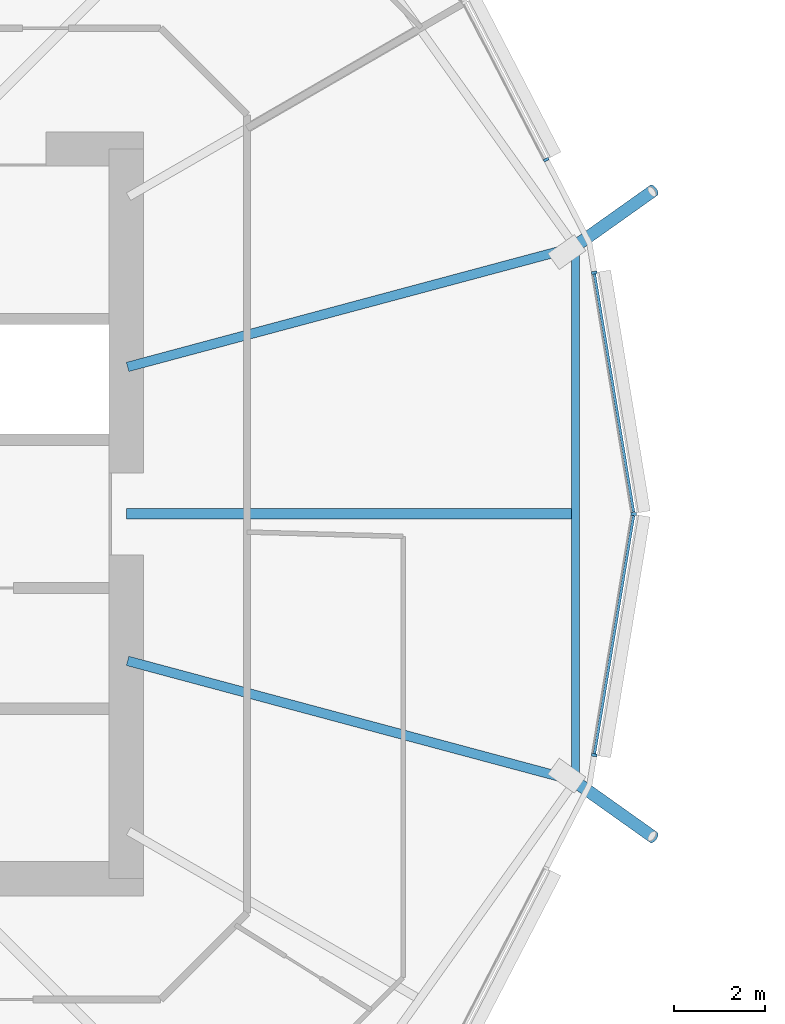
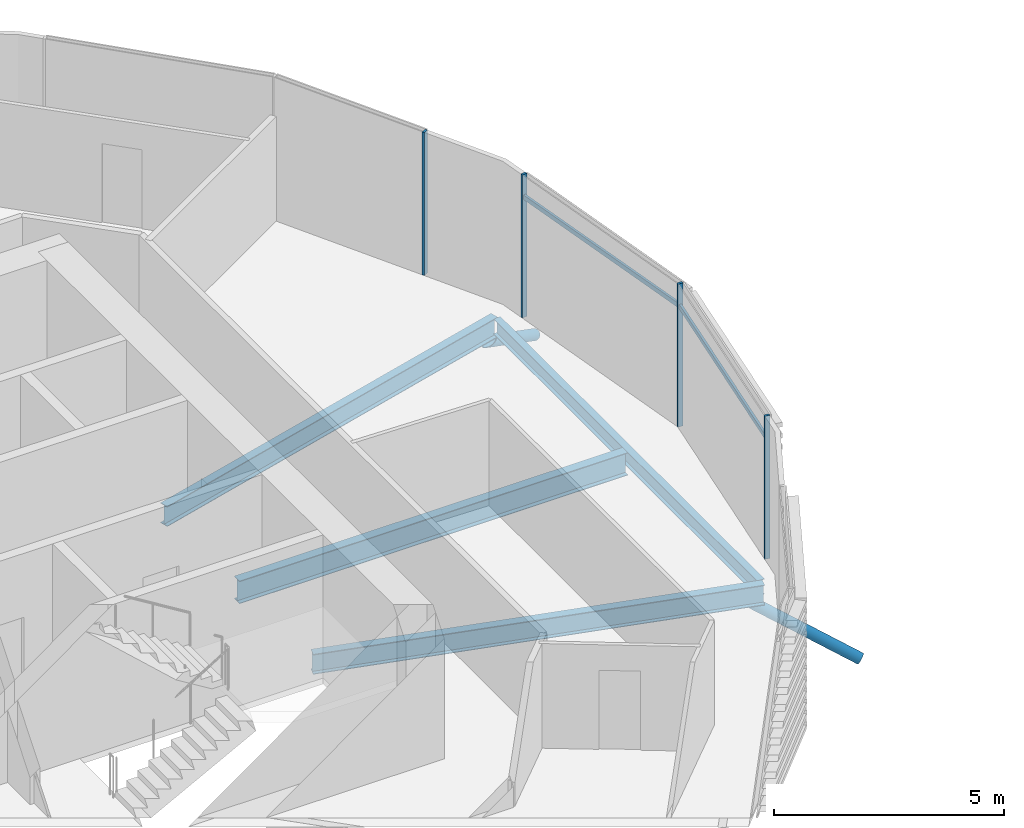
# One storey, part 8 of 38: 8 members, 4 beams, 1 element without a shape of its own.
"""IFC4 building model written with IfcOpenShell, lengths in metres."""

from ifc_helpers import new_model, si_unit, direction, frame, origin, origin_2d, place, context, subcontext, project, spatial, rectangle, hollow_circle, i_section, extrude, clip, halfspace, material, material_profile, profile_set, type_object, element, aggregate, save


model = new_model("IFC4")

# Units and contexts
model_context = context("Model", 3, precision=1e-05, world=origin(), true_north=direction((0.0, 1.0)))
body_context = subcontext(model_context, "Body", "Model", "MODEL_VIEW")
ifc_project = project(units=[si_unit("LENGTHUNIT", "METRE"), si_unit("AREAUNIT", "SQUARE_METRE"), si_unit("VOLUMEUNIT", "CUBIC_METRE"), si_unit("PLANEANGLEUNIT", "RADIAN"), si_unit("MASSUNIT", "GRAM", prefix="KILO")], contexts=[model_context])

# Site, building, storey
site_placement = place(None, origin())
site = spatial("IfcSite", under=ifc_project, at=site_placement, CompositionType="ELEMENT")
building_placement = place(site_placement, origin())
building = spatial("IfcBuilding", under=site, at=building_placement, Name="Rimbun Link Towers", CompositionType="ELEMENT")
storey_placement = place(building_placement, frame((0.0, 0.0, 119.60009765625)))
storey = spatial("IfcBuildingStorey", under=building, at=storey_placement, Name="L29", CompositionType="ELEMENT", Elevation=119.60009765625)

# Curtain wall, members
ifc_material_1 = material(Name="Aluminium 6063-T6 and low-iron glass", Category="aluminium")
curtain_wall_type = type_object("IfcCurtainWallType", Name="CW1-Z2 unitised vision wall (zone 2)", PredefinedType="NOTDEFINED", material=ifc_material_1)
curtain_wall_placement = place(storey_placement, origin())
curtain_wall = element("IfcCurtainWall", 1, at=curtain_wall_placement, inside=storey, type_object=curtain_wall_type, Name="CW1 L29 T1", PredefinedType="NOTDEFINED")
ifc_material_2 = material(Name="Aluminium 6063-T6", Category="aluminium")
ifc_material_profile_1 = material_profile(ifc_material_2, rectangle(XDim=0.1201171875, YDim=0.06005859375, at=origin_2d()), Name="MULLION 60X120")
ifc_profile_set_1 = profile_set([ifc_material_profile_1], Name="Aluminium 6063-T6")
member_type_1 = type_object("IfcMemberType", Name="CW1 mullion 60X120", PredefinedType="MULLION", material=ifc_profile_set_1)
member_1_placement = place(storey_placement, frame((-9.488037109375, 5.289306640625, 0.0), z_axis=(0.0, 0.0, 1.0), x_axis=(0.986746548815, 0.162269061749, 0.0)))
member_1 = element("IfcMember", 2, at=member_1_placement, type_object=member_type_1, Name="CW1 mullion", PredefinedType="MULLION", context=body_context, shape_type="SweptSolid", body=[
    extrude(rectangle(XDim=0.1201171875, YDim=0.06005859375, at=origin_2d()), origin(), (0.0, 0.0, 1.0), 3.7998046875),
])
member_2_placement = place(storey_placement, frame((-8.618896484375, 0.0, 0.0), z_axis=(0.0, 0.0, 1.0), x_axis=(1.0, 0.0, 0.0)))
member_2 = element("IfcMember", 3, at=member_2_placement, type_object=member_type_1, Name="CW1 mullion", PredefinedType="MULLION", context=body_context, shape_type="SweptSolid", body=[
    extrude(rectangle(XDim=0.1201171875, YDim=0.06005859375, at=origin_2d()), origin(), (0.0, 0.0, 1.0), 3.7998046875),
])
member_3_placement = place(storey_placement, frame((-10.54150390625, 7.769287109375, 0.0), z_axis=(0.0, 0.0, 1.0), x_axis=(0.888156623203, 0.459540871589, 0.0)))
member_3 = element("IfcMember", 4, at=member_3_placement, type_object=member_type_1, Name="CW1 mullion", PredefinedType="MULLION", context=body_context, shape_type="SweptSolid", body=[
    extrude(rectangle(XDim=0.1201171875, YDim=0.06005859375, at=origin_2d()), origin(), (0.0, 0.0, 1.0), 3.7998046875),
])
member_4_placement = place(storey_placement, frame((-9.488037109375, -5.289306640625, 0.0), z_axis=(0.0, 0.0, 1.0), x_axis=(0.986746548815, -0.162269061749, 0.0)))
member_4 = element("IfcMember", 5, at=member_4_placement, type_object=member_type_1, Name="CW1 mullion", PredefinedType="MULLION", context=body_context, shape_type="SweptSolid", body=[
    extrude(rectangle(XDim=0.1201171875, YDim=0.06005859375, at=origin_2d()), origin(), (0.0, 0.0, 1.0), 3.7998046875),
])
ifc_material_3 = material(Name="Aluminium 6063-T6", Category="aluminium")
ifc_material_profile_2 = material_profile(ifc_material_3, rectangle(XDim=0.06005859375, YDim=0.1201171875, at=origin_2d()), Name="TRANSOM 60X120")
ifc_profile_set_2 = profile_set([ifc_material_profile_2], Name="Aluminium 6063-T6")
member_type_2 = type_object("IfcMemberType", Name="CW1 transom 60X120", PredefinedType="USERDEFINED", material=ifc_profile_set_2)
member_5_placement = place(storey_placement, frame((-9.485107421875, 5.259521484375, 3.199951171875), z_axis=(0.162250916915, -0.986749532536, 0.0), x_axis=(0.986749532536, 0.162250916915, 0.0)))
member_5 = element("IfcMember", 6, at=member_5_placement, type_object=member_type_2, Name="CW1 transom", ObjectType="TRANSOM", PredefinedType="USERDEFINED", context=body_context, shape_type="SweptSolid", body=[
    extrude(rectangle(XDim=0.06005859375, YDim=0.1201171875, at=origin_2d()), origin(), (0.0, 0.0, 1.0), 5.29052734375),
])
member_6_placement = place(storey_placement, frame((-8.626708984375, -0.0390625, 3.199951171875), z_axis=(-0.162250916915, -0.986749532536, 0.0), x_axis=(0.986749532536, -0.162250916915, 0.0)))
member_6 = element("IfcMember", 7, at=member_6_placement, type_object=member_type_2, Name="CW1 transom", ObjectType="TRANSOM", PredefinedType="USERDEFINED", context=body_context, shape_type="SweptSolid", body=[
    extrude(rectangle(XDim=0.06005859375, YDim=0.1201171875, at=origin_2d()), origin(), (0.0, 0.0, 1.0), 5.29052734375),
])
aggregate(curtain_wall, [member_1, member_2, member_3, member_4, member_5, member_6])

# Members
ifc_material_4 = material(Name="Steel S355J2H", Category="steel")
ifc_material_profile_3 = material_profile(ifc_material_4, hollow_circle(Radius=0.136474609375, WallThickness=0.012451171875, at=origin_2d()), Name="CHS 273x12.5")
ifc_profile_set_3 = profile_set([ifc_material_profile_3], Name="Steel S355J2H")
member_type_3 = type_object("IfcMemberType", Name="Floor edge link CHS 273x12.5", PredefinedType="BRACE", material=ifc_profile_set_3)
for number, where, z_axis, x_axis, name in (
    (8, (-9.9482421875, 5.841796875, -0.811767578125), (0.710438455453, 0.504705067855, -0.49045896413), (-0.579146013274, 0.815223831416, 0.0), "Floor edge link T1 L29 01"),
    (9, (-9.9482421875, -5.841796875, -0.811767578125), (0.710438455453, -0.504705067855, -0.49045896413), (0.579146013274, 0.815223831416, 0.0), "Floor edge link T1 L29 23"),
):
    element("IfcMember", number, at=place(storey_placement, frame(where, z_axis=z_axis, x_axis=x_axis)), inside=storey, type_object=member_type_3, Name=name, PredefinedType="BRACE", context=body_context, shape_type="Clipping", body=[
        clip(extrude(hollow_circle(Radius=0.136474609375, WallThickness=0.012451171875, at=origin_2d()), frame((0.0, 0.0, -0.505615234375)), (0.0, 0.0, 1.0), 2.990478515625), halfspace(frame((0.0, 0.0, -0.23779296875), z_axis=(0.0, 0.871464287567, -0.49045896413)), False)),
    ])

# Beams
ifc_material_5 = material(Name="Steel S355J2", Category="steel")
ifc_material_profile_4 = material_profile(ifc_material_5, i_section(OverallWidth=0.177978515625, OverallDepth=0.406494140625, WebThickness=0.0078125, FlangeThickness=0.0126953125, at=origin_2d()), Name="UB 406x178x60")
ifc_profile_set_4 = profile_set([ifc_material_profile_4], Name="Steel S355J2")
beam_type_1 = type_object("IfcBeamType", Name="UB 406x178x60", PredefinedType="BEAM", material=ifc_profile_set_4)
beam_1_placement = place(storey_placement, frame((-9.89990234375, -5.745361328125, -0.36328125), z_axis=(0.0, 1.0, 0.0), x_axis=(-1.0, 0.0, 0.0)))
element("IfcBeam", 10, at=beam_1_placement, inside=storey, type_object=beam_type_1, Name="Edge beam T1 L29 23-01", PredefinedType="BEAM", context=body_context, shape_type="SweptSolid", body=[
    extrude(i_section(OverallWidth=0.177978515625, OverallDepth=0.406494140625, WebThickness=0.0078125, FlangeThickness=0.0126953125, at=origin_2d()), origin(), (0.0, 0.0, 1.0), 11.49072265625),
])
ifc_material_6 = material(Name="Steel S355J2", Category="steel")
ifc_material_profile_5 = material_profile(ifc_material_6, i_section(OverallWidth=0.209228515625, OverallDepth=0.533203125, WebThickness=0.010009765625, FlangeThickness=0.015625, at=origin_2d()), Name="UB 533x210x92")
ifc_profile_set_5 = profile_set([ifc_material_profile_5], Name="Steel S355J2")
beam_type_2 = type_object("IfcBeamType", Name="UB 533x210x92", PredefinedType="BEAM", material=ifc_profile_set_5)
for number, where, z_axis, x_axis, name in (
    (11, (-19.721923828125, 3.222900390625, -0.426513671875), (0.965925009726, 0.258822092537, 0.0), (-0.258822092537, 0.965925009726, 0.0), "Radial beam T1 L29 01"),
    (12, (-19.721923828125, -3.222900390625, -0.426513671875), (0.965925009726, -0.258822092537, 0.0), (0.258822092537, 0.965925009726, 0.0), "Radial beam T1 L29 23"),
):
    element("IfcBeam", number, at=place(storey_placement, frame(where, z_axis=z_axis, x_axis=x_axis)), inside=storey, type_object=beam_type_2, Name=name, PredefinedType="BEAM", context=body_context, shape_type="SweptSolid", body=[
        extrude(i_section(OverallWidth=0.209228515625, OverallDepth=0.533203125, WebThickness=0.010009765625, FlangeThickness=0.015625, at=origin_2d()), origin(), (0.0, 0.0, 1.0), 10.16845703125),
    ])
ifc_material_7 = material(Name="Steel S355J2", Category="steel")
ifc_material_profile_6 = material_profile(ifc_material_7, i_section(OverallWidth=0.2275390625, OverallDepth=0.6025390625, WebThickness=0.010498046875, FlangeThickness=0.014892578125, at=origin_2d()), Name="UB 610x229x101")
ifc_profile_set_6 = profile_set([ifc_material_profile_6], Name="Steel S355J2")
beam_type_3 = type_object("IfcBeamType", Name="UB 610x229x101", PredefinedType="BEAM", material=ifc_profile_set_6)
beam_2_placement = place(storey_placement, frame((-19.7490234375, 0.0, -0.46142578125), z_axis=(1.0, 0.0, 0.0), x_axis=(0.0, 1.0, 0.0)))
element("IfcBeam", 13, at=beam_2_placement, inside=storey, type_object=beam_type_3, Name="Radial beam T1 L29 00", PredefinedType="BEAM", context=body_context, shape_type="SweptSolid", body=[
    extrude(i_section(OverallWidth=0.2275390625, OverallDepth=0.6025390625, WebThickness=0.010498046875, FlangeThickness=0.014892578125, at=origin_2d()), origin(), (0.0, 0.0, 1.0), 9.75927734375),
])

save(model, "model.ifc")
